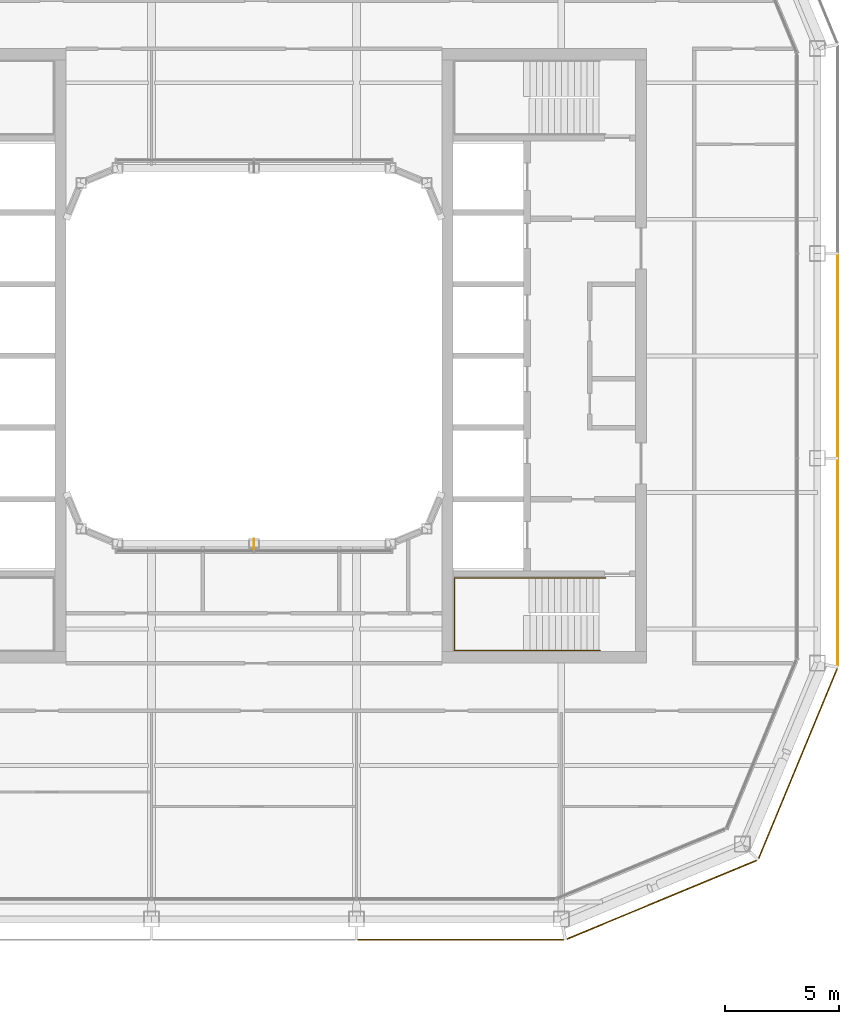
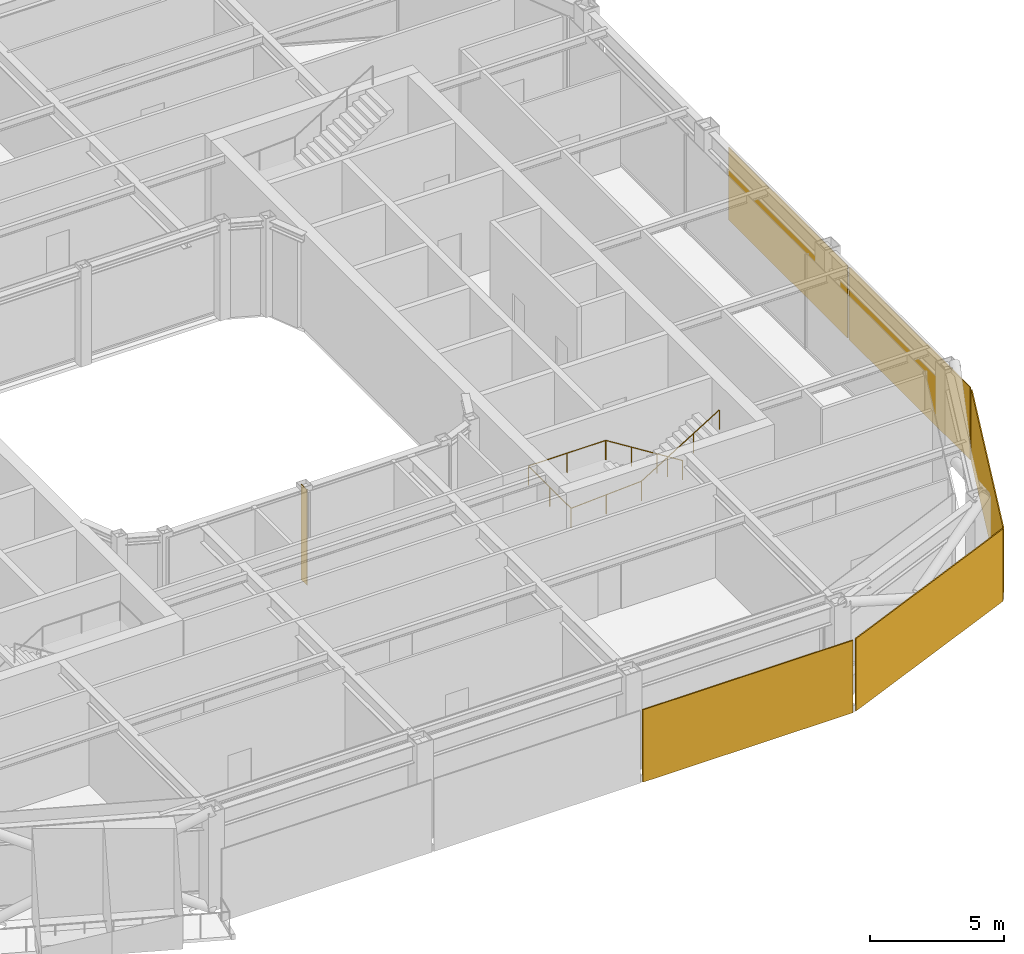
# One storey, part 18 of 21: 5 coverings, 1 railing, 1 shading device.
"""IFC4 building model written with IfcOpenShell, lengths in metres."""

from ifc_helpers import new_model, si_unit, direction, frame, origin, origin_2d, place, context, subcontext, project, spatial, rectangle, circle, extrude, material, layer, layer_set, type_object, element, save


model = new_model("IFC4")

# Units and contexts
model_context = context("Model", 3, precision=1e-05, world=origin(), true_north=direction((0.0, 1.0)))
body_context = subcontext(model_context, "Body", "Model", "MODEL_VIEW")
ifc_project = project(units=[si_unit("LENGTHUNIT", "METRE"), si_unit("AREAUNIT", "SQUARE_METRE"), si_unit("VOLUMEUNIT", "CUBIC_METRE"), si_unit("PLANEANGLEUNIT", "RADIAN"), si_unit("MASSUNIT", "GRAM", prefix="KILO")], contexts=[model_context])

# Site, building, storey
site_placement = place(None, origin())
site = spatial("IfcSite", under=ifc_project, at=site_placement, CompositionType="ELEMENT")
building_placement = place(site_placement, origin())
building = spatial("IfcBuilding", under=site, at=building_placement, Name="Siwar Civic Tower", CompositionType="ELEMENT")
storey_placement = place(building_placement, frame((0.0, 0.0, 334.699951171875)))
storey = spatial("IfcBuildingStorey", under=building, at=storey_placement, Name="L72", CompositionType="ELEMENT", Elevation=334.699951171875)

# Railing
ifc_material_1 = material(Name="Stainless steel", Category="steel")
railing_type = type_object("IfcRailingType", Name="CORE-STAIR-HANDRAIL", PredefinedType="HANDRAIL", material=ifc_material_1)
railing_placement = place(storey_placement, frame((15.449951171875, -9.758056640625, 0.173095703125)))
element("IfcRailing", 1, at=railing_placement, inside=storey, type_object=railing_type, Name="Stair handrail ST4", PredefinedType="HANDRAIL", context=body_context, shape_type="SweptSolid", body=[
    extrude(circle(Radius=0.02001953125, at=origin_2d()), frame((0.0, 0.0, 0.8798828125), z_axis=(-0.847063342986, 0.0, 0.531491950051), x_axis=(0.0, -1.0, 0.0)), (0.0, 0.0, 1.0), 3.90771484375),
    extrude(circle(Radius=0.02001953125, at=origin_2d()), frame((-3.31005859375, 0.0, 2.956787109375), z_axis=(-1.0, 0.0, 0.0), x_axis=(0.0, -1.0, 0.0)), (0.0, 0.0, 1.0), 3.331787109375),
    extrude(circle(Radius=0.02001953125, at=origin_2d()), frame((-6.641845703125, 0.0, 2.956787109375), z_axis=(0.0, -1.0, 0.0), x_axis=(1.0, 0.0, 0.0)), (0.0, 0.0, 1.0), 3.183837890625),
    extrude(circle(Radius=0.02001953125, at=origin_2d()), frame((-6.641845703125, -3.183837890625, 2.956787109375), z_axis=(0.99837434197, 0.0, 0.056997134106), x_axis=(0.0, 1.0, 0.0)), (0.0, 0.0, 1.0), 3.036865234375),
    extrude(circle(Radius=0.02001953125, at=origin_2d()), frame((-3.60986328125, -3.183837890625, 3.1298828125), z_axis=(0.850606129759, 0.0, 0.525803396734), x_axis=(0.0, 1.0, 0.0)), (0.0, 0.0, 1.0), 3.949951171875),
    extrude(circle(Radius=0.02001953125, at=origin_2d()), origin(), (0.0, 0.0, 1.0), 0.85986328125),
    extrude(circle(Radius=0.02001953125, at=origin_2d()), frame((-1.103271484375, 0.0, 0.6923828125)), (0.0, 0.0, 1.0), 0.85986328125),
    extrude(circle(Radius=0.02001953125, at=origin_2d()), frame((-2.206787109375, 0.0, 1.384521484375)), (0.0, 0.0, 1.0), 0.85986328125),
    extrude(circle(Radius=0.02001953125, at=origin_2d()), frame((-3.31005859375, 0.0, 2.076904296875)), (0.0, 0.0, 1.0), 0.85986328125),
    extrude(circle(Radius=0.02001953125, at=origin_2d()), frame((-4.97607421875, 0.0, 2.076904296875)), (0.0, 0.0, 1.0), 0.85986328125),
    extrude(circle(Radius=0.02001953125, at=origin_2d()), frame((-6.641845703125, 0.0, 2.076904296875)), (0.0, 0.0, 1.0), 0.85986328125),
    extrude(circle(Radius=0.02001953125, at=origin_2d()), frame((-6.641845703125, -1.591796875, 2.076904296875)), (0.0, 0.0, 1.0), 0.85986328125),
    extrude(circle(Radius=0.02001953125, at=origin_2d()), frame((-6.641845703125, -3.183837890625, 2.076904296875)), (0.0, 0.0, 1.0), 0.85986328125),
    extrude(circle(Radius=0.02001953125, at=origin_2d()), frame((-5.1259765625, -3.183837890625, 2.16357421875)), (0.0, 0.0, 1.0), 0.85986328125),
    extrude(circle(Radius=0.02001953125, at=origin_2d()), frame((-3.60986328125, -3.183837890625, 2.25)), (0.0, 0.0, 1.0), 0.85986328125),
    extrude(circle(Radius=0.02001953125, at=origin_2d()), frame((-2.489990234375, -3.183837890625, 2.9423828125)), (0.0, 0.0, 1.0), 0.85986328125),
    extrude(circle(Radius=0.02001953125, at=origin_2d()), frame((-1.369873046875, -3.183837890625, 3.634521484375)), (0.0, 0.0, 1.0), 0.85986328125),
    extrude(circle(Radius=0.02001953125, at=origin_2d()), frame((-0.25, -3.183837890625, 4.326904296875)), (0.0, 0.0, 1.0), 0.85986328125),
])

# Shading device
ifc_material_2 = material(Name="Aluminium 6063-T6", Category="aluminium")
ifc_layer_1 = layer(ifc_material_2, 0.02001953125)
ifc_layer_set_1 = layer_set([ifc_layer_1], Name="Aluminium 6063-T6")
shading_device_type = type_object("IfcShadingDeviceType", Name="ENV-FIN", PredefinedType="JALOUSIE", material=ifc_layer_set_1)
shading_device_placement = place(storey_placement, frame((0.0, -8.27001953125, 0.0), z_axis=(0.0, 0.0, 1.0), x_axis=(1.0, 0.0, 0.0)))
element("IfcShadingDevice", 2, at=shading_device_placement, inside=storey, type_object=shading_device_type, Name="SUNSHADE fin WS 1", PredefinedType="JALOUSIE", context=body_context, shape_type="SweptSolid", body=[
    extrude(rectangle(XDim=0.02001953125, YDim=0.449951171875, at=origin_2d()), origin(), (0.0, 0.0, 1.0), 4.35009765625),
])

# Coverings
ifc_material_3 = material(Name="Perforated aluminium cassette, pale metal", Category="aluminium")
ifc_layer_2 = layer(ifc_material_3, 0.0400390625)
ifc_layer_set_2 = layer_set([ifc_layer_2], Name="Perforated aluminium cassette, pale metal")
covering_type_1 = type_object("IfcCoveringType", Name="ENV-OUTER SKIN OS-1", PredefinedType="CLADDING", material=ifc_layer_set_2)
covering_1_placement = place(storey_placement, frame((25.64990234375, -9.07958984375, -0.14990234375), z_axis=(0.0, 0.0, 1.0), x_axis=(0.0, 1.0, 0.0)))
element("IfcCovering", 3, at=covering_1_placement, inside=storey, type_object=covering_type_1, Name="OUTER SKIN OS-1 E 1", PredefinedType="CLADDING", context=body_context, shape_type="SweptSolid", body=[
    extrude(rectangle(XDim=9.05908203125, YDim=0.0400390625, at=origin_2d()), origin(), (0.0, 0.0, 1.0), 3.300048828125),
])
covering_2_placement = place(storey_placement, frame((25.64990234375, 0.0, -0.14990234375), z_axis=(0.0, 0.0, 1.0), x_axis=(0.0, 1.0, 0.0)))
element("IfcCovering", 4, at=covering_2_placement, inside=storey, type_object=covering_type_1, Name="OUTER SKIN OS-1 E 2", PredefinedType="CLADDING", context=body_context, shape_type="SweptSolid", body=[
    extrude(rectangle(XDim=8.89990234375, YDim=0.0400390625, at=origin_2d()), origin(), (0.0, 0.0, 1.0), 3.300048828125),
])
ifc_material_4 = material(Name="Perforated aluminium cassette, pale metal", Category="aluminium")
ifc_layer_3 = layer(ifc_material_4, 0.044921875)
ifc_layer_set_3 = layer_set([ifc_layer_3], Name="Perforated aluminium cassette, pale metal")
covering_type_2 = type_object("IfcCoveringType", Name="ENV-OUTER SKIN OS-2", PredefinedType="CLADDING", material=ifc_layer_set_3)
covering_3_placement = place(storey_placement, frame((23.89697265625, -17.911376953125, -0.14990234375), z_axis=(0.0, 0.0, 1.0), x_axis=(0.382683432365, 0.923879532511, 0.0)))
element("IfcCovering", 5, at=covering_3_placement, inside=storey, type_object=covering_type_2, Name="OUTER SKIN OS-2 SE2 1", PredefinedType="CLADDING", context=body_context, shape_type="SweptSolid", body=[
    extrude(rectangle(XDim=9.022216796875, YDim=0.044921875, at=origin_2d()), origin(), (0.0, 0.0, 1.0), 3.300048828125),
])
ifc_material_5 = material(Name="Perforated aluminium cassette, pale metal", Category="aluminium")
ifc_layer_4 = layer(ifc_material_5, 0.050048828125)
ifc_layer_set_4 = layer_set([ifc_layer_4], Name="Perforated aluminium cassette, pale metal")
covering_type_3 = type_object("IfcCoveringType", Name="ENV-OUTER SKIN OS-3", PredefinedType="CLADDING", material=ifc_layer_set_4)
covering_4_placement = place(storey_placement, frame((17.911376953125, -23.89697265625, -0.14990234375), z_axis=(0.0, 0.0, 1.0), x_axis=(0.923879532511, 0.382683432365, 0.0)))
element("IfcCovering", 6, at=covering_4_placement, inside=storey, type_object=covering_type_3, Name="OUTER SKIN OS-3 SE1 1", PredefinedType="CLADDING", context=body_context, shape_type="SweptSolid", body=[
    extrude(rectangle(XDim=9.022216796875, YDim=0.050048828125, at=origin_2d()), origin(), (0.0, 0.0, 1.0), 3.300048828125),
])
ifc_material_6 = material(Name="Perforated aluminium cassette, pale metal", Category="aluminium")
ifc_layer_5 = layer(ifc_material_6, 0.054931640625)
ifc_layer_set_5 = layer_set([ifc_layer_5], Name="Perforated aluminium cassette, pale metal")
covering_type_4 = type_object("IfcCoveringType", Name="ENV-OUTER SKIN OS-4", PredefinedType="CLADDING", material=ifc_layer_set_5)
covering_5_placement = place(storey_placement, frame((9.07958984375, -25.64990234375, -0.14990234375), z_axis=(0.0, 0.0, 1.0), x_axis=(1.0, 0.0, 0.0)))
element("IfcCovering", 7, at=covering_5_placement, inside=storey, type_object=covering_type_4, Name="OUTER SKIN OS-4 S 3", PredefinedType="CLADDING", context=body_context, shape_type="SweptSolid", body=[
    extrude(rectangle(XDim=9.05908203125, YDim=0.054931640625, at=origin_2d()), origin(), (0.0, 0.0, 1.0), 3.300048828125),
])

save(model, "model.ifc")
